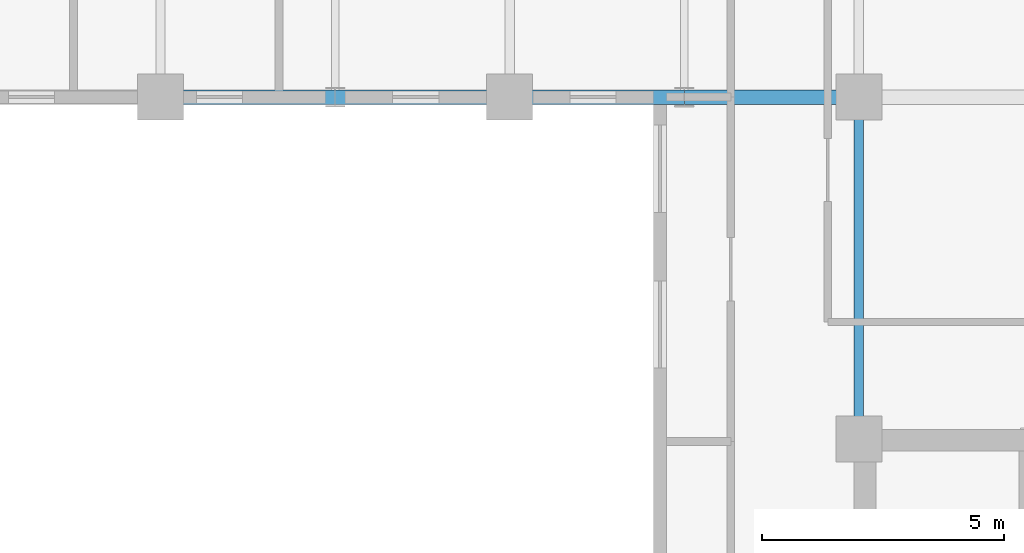
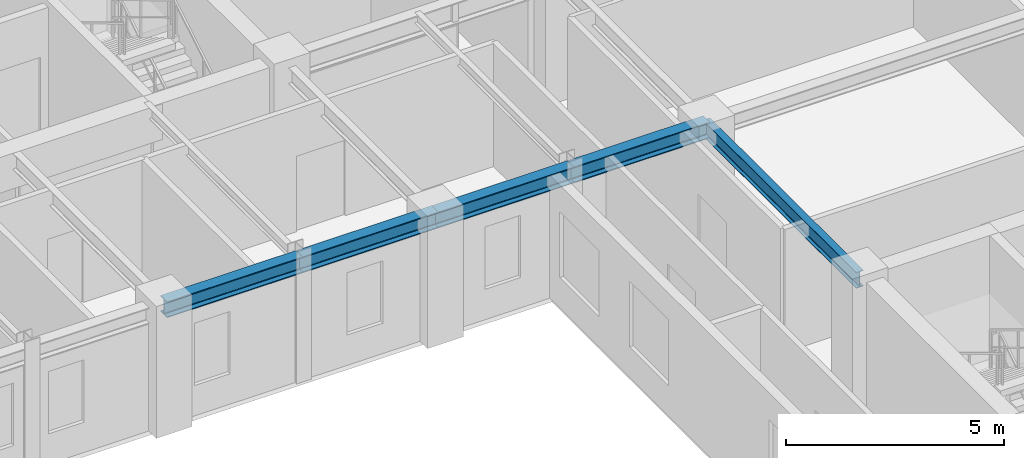
# One storey, part 5 of 20: 5 beams.
"""IFC4 building model written with IfcOpenShell, lengths in metres."""

from ifc_helpers import new_model, si_unit, direction, frame, origin, origin_2d, place, context, subcontext, project, spatial, i_section, extrude, source, transform, mapped, material, material_profile, profile_set, type_object, element, save


model = new_model("IFC4")

# Units and contexts
model_context = context("Model", 3, precision=1e-05, world=origin(), true_north=direction((0.0, 1.0)))
body_context = subcontext(model_context, "Body", "Model", "MODEL_VIEW")
ifc_project = project(units=[si_unit("LENGTHUNIT", "METRE"), si_unit("AREAUNIT", "SQUARE_METRE"), si_unit("VOLUMEUNIT", "CUBIC_METRE"), si_unit("PLANEANGLEUNIT", "RADIAN"), si_unit("MASSUNIT", "GRAM", prefix="KILO")], contexts=[model_context])

# Site, building, storey
site_placement = place(None, origin())
site = spatial("IfcSite", under=ifc_project, at=site_placement, CompositionType="ELEMENT")
building_placement = place(site_placement, origin())
building = spatial("IfcBuilding", under=site, at=building_placement, Name="Kaliganga Portal Commons", CompositionType="ELEMENT")
storey_placement = place(building_placement, frame((0.0, 0.0, 201.800048828125)))
storey = spatial("IfcBuildingStorey", under=building, at=storey_placement, Name="L51", CompositionType="ELEMENT", Elevation=201.800048828125)

# Beams
ifc_material = material(Name="Structural steel S355J2", Category="steel")
ifc_material_profile_1 = material_profile(ifc_material, i_section(OverallWidth=0.300048828125, OverallDepth=0.449951171875, WebThickness=0.013916015625, FlangeThickness=0.02587890625, FilletRadius=0.027099609375, at=origin_2d()), Name="HE 450 B")
ifc_profile_set_1 = profile_set([ifc_material_profile_1], Name="Structural steel S355J2 wide-flange")
beam_type_1 = type_object("IfcBeamType", Name="BM-SPAND-450", PredefinedType="SPANDREL", material=ifc_profile_set_1)
shared_shape_1 = source(origin(), body_context, "Body", "SweptSolid", [
    extrude(i_section(OverallWidth=0.300048828125, OverallDepth=0.449951171875, WebThickness=0.013916015625, FlangeThickness=0.02587890625, FilletRadius=0.027099609375, at=origin_2d()), origin(), (0.0, 0.0, 1.0), 3.60009765625),
])
for number, where, z_axis, x_axis, name in (
    (1, (25.199951171875, 21.60009765625, 3.244873046875), (1.0, 0.0, 0.0), (0.0, 1.0, 0.0), "BM SP L51 AS 4"),
    (2, (32.39990234375, 21.60009765625, 3.244873046875), (1.0, 0.0, 0.0), (0.0, 1.0, 0.0), "BM SP L51 AS 6"),
):
    element("IfcBeam", number, at=place(storey_placement, frame(where, z_axis=z_axis, x_axis=x_axis)), inside=storey, type_object=beam_type_1, Name=name, PredefinedType="SPANDREL", context=body_context, shape_type="MappedRepresentation", body=[
        mapped(shared_shape_1, transform((0.0, 0.0, 0.0), x_axis=(1.0, 0.0, 0.0), y_axis=(0.0, 1.0, 0.0), z_axis=(0.0, 0.0, 1.0), scale=1.0)),
    ])
shared_shape_2 = source(origin(), body_context, "Body", "SweptSolid", [
    extrude(i_section(OverallWidth=0.300048828125, OverallDepth=0.449951171875, WebThickness=0.013916015625, FlangeThickness=0.02587890625, FilletRadius=0.027099609375, at=origin_2d()), origin(), (0.0, 0.0, 1.0), 3.599853515625),
])
for number, where, z_axis, x_axis, name in (
    (3, (21.60009765625, 21.60009765625, 3.244873046875), (1.0, 0.0, 0.0), (0.0, 1.0, 0.0), "BM SP L51 AS 3"),
    (4, (28.800048828125, 21.60009765625, 3.244873046875), (1.0, 0.0, 0.0), (0.0, 1.0, 0.0), "BM SP L51 AS 5"),
):
    element("IfcBeam", number, at=place(storey_placement, frame(where, z_axis=z_axis, x_axis=x_axis)), inside=storey, type_object=beam_type_1, Name=name, PredefinedType="SPANDREL", context=body_context, shape_type="MappedRepresentation", body=[
        mapped(shared_shape_2, transform((0.0, 0.0, 0.0), x_axis=(1.0, 0.0, 0.0), y_axis=(0.0, 1.0, 0.0), z_axis=(0.0, 0.0, 1.0), scale=1.0)),
    ])
ifc_material_profile_2 = material_profile(ifc_material, i_section(OverallWidth=0.18994140625, OverallDepth=0.449951171875, WebThickness=0.009521484375, FlangeThickness=0.0146484375, FilletRadius=0.02099609375, at=origin_2d()), Name="IPE 450")
ifc_profile_set_2 = profile_set([ifc_material_profile_2], Name="Structural steel S355J2 wide-flange")
beam_type_2 = type_object("IfcBeamType", Name="BM-FLR-450", PredefinedType="BEAM", material=ifc_profile_set_2)
shared_shape_3 = source(origin(), body_context, "Body", "SweptSolid", [
    extrude(i_section(OverallWidth=0.18994140625, OverallDepth=0.449951171875, WebThickness=0.009521484375, FlangeThickness=0.0146484375, FilletRadius=0.02099609375, at=origin_2d()), origin(), (0.0, 0.0, 1.0), 7.050048828125),
])
beam_placement = place(storey_placement, frame((36.0, 14.550048828125, 3.244873046875), z_axis=(0.0, 1.0, 0.0), x_axis=(-1.0, 0.0, 0.0)))
element("IfcBeam", 5, at=beam_placement, inside=storey, type_object=beam_type_2, Name="BM G L51 BNK360", PredefinedType="BEAM", context=body_context, shape_type="MappedRepresentation", body=[
    mapped(shared_shape_3, transform((0.0, 0.0, 0.0), x_axis=(1.0, 0.0, 0.0), y_axis=(0.0, 1.0, 0.0), z_axis=(0.0, 0.0, 1.0), scale=1.0)),
])

save(model, "model.ifc")
